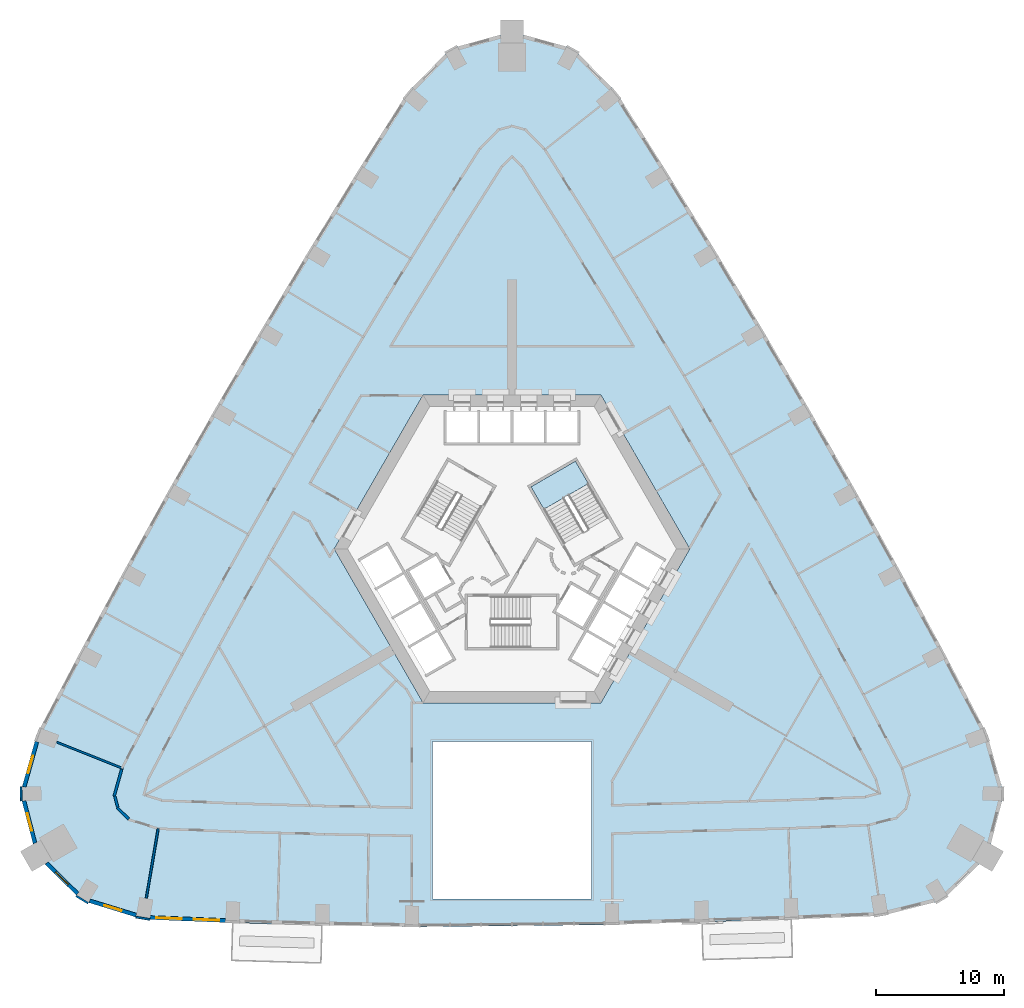
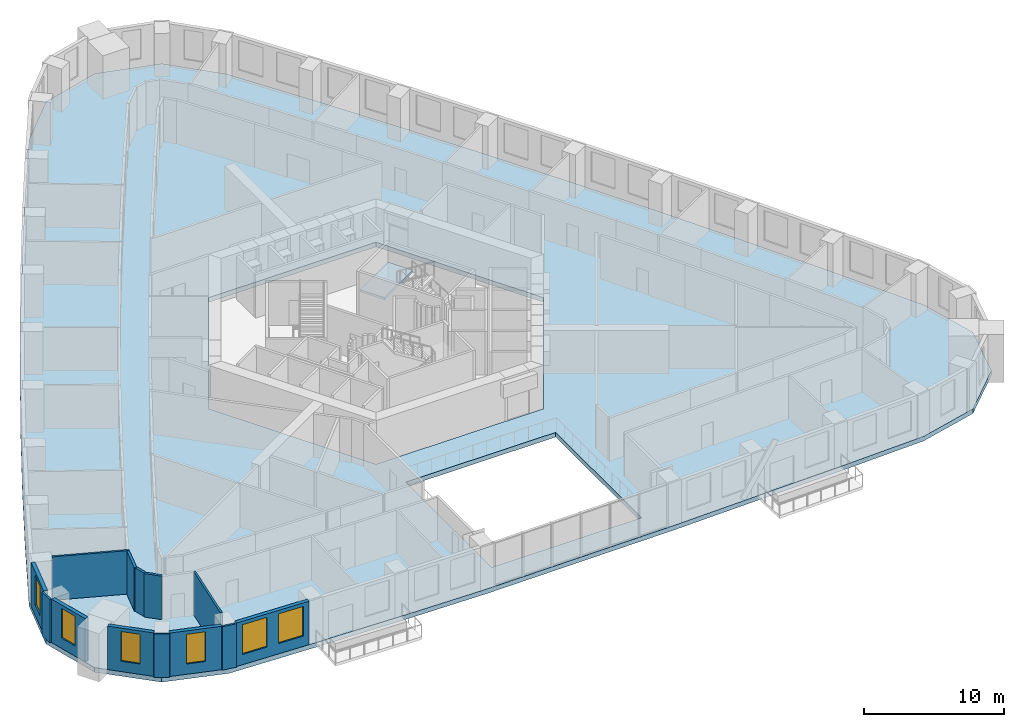
# One storey, part 3 of 14: 13 walls, 6 windows, 2 slabs, 6 openings, 1 element without a shape of its own.
"""IFC4 building model written with IfcOpenShell, lengths in metres."""

import ifcopenshell
import ifcopenshell.guid

model = None  # the IFC model being written
_history = None  # IfcOwnerHistory: only IFC2X3 demands one
_inside = {}  # id of a spatial element -> (the spatial element, [elements in it])
_under = {}  # id of a project, library or spatial element -> (it, [spatial elements below it])
_declared = {}  # id of a project -> (the project, [libraries it declares])
_typed = {}  # id of a type object -> (the type object, [elements of that type])
_made_of = {}  # id of a material, layer set ... -> (it, [elements and type objects made of it])


def new_model(schema):
    """Start an empty IFC model of exactly this schema.

    Asked for "IFC4X3", IfcOpenShell would pick the latest addendum, in which some entities
    have other attributes; the version numbers below select the first issue.
    IFC2X3 requires an IfcOwnerHistory on every rooted entity: one is made here for all.
    """
    global model, _history
    if schema == "IFC4X3":
        model = ifcopenshell.file(schema_version=(4, 3, 0, 0))
    else:
        model = ifcopenshell.file(schema=schema)
    _inside.clear()
    _under.clear()
    _declared.clear()
    _typed.clear()
    _made_of.clear()
    _history = None
    if model.schema == "IFC2X3":
        org = make("IfcOrganization", Name="unknown")
        user = make(
            "IfcPersonAndOrganization",
            ThePerson=make("IfcPerson", FamilyName="unknown"),
            TheOrganization=org,
        )
        app = make(
            "IfcApplication",
            ApplicationDeveloper=org,
            Version="unknown",
            ApplicationFullName="unknown",
            ApplicationIdentifier="unknown",
        )
        _history = make(
            "IfcOwnerHistory",
            OwningUser=user,
            OwningApplication=app,
            ChangeAction="ADDED",
            CreationDate=0,
        )
    return model


def make(cls, **values):
    """One entity of the class cls with the attributes given. An attribute that is None is left unset."""
    return model.create_entity(
        cls, **{name: value for name, value in values.items() if value is not None}
    )


def rooted(cls, **values):
    """An entity with a GlobalId (a new one), such as an element, a storey or a relation."""
    return make(cls, GlobalId=ifcopenshell.guid.new(), OwnerHistory=_history, **values)


def si_unit(unit_type, name, prefix=None):
    """IfcSIUnit, for example si_unit("LENGTHUNIT", "METRE", prefix="MILLI")."""
    return make("IfcSIUnit", UnitType=unit_type, Prefix=prefix, Name=name)


def assignment(units):
    """IfcUnitAssignment: the units of a project."""
    return None if units is None else make("IfcUnitAssignment", Units=units)


def point(xyz):
    """IfcCartesianPoint."""
    return None if xyz is None else make("IfcCartesianPoint", Coordinates=xyz)


def direction(xyz):
    """IfcDirection."""
    return None if xyz is None else make("IfcDirection", DirectionRatios=xyz)


def frame(location, z_axis=None, x_axis=None):
    """IfcAxis2Placement3D, a coordinate frame: its origin and axes. An axis left out is left unset."""
    return make(
        "IfcAxis2Placement3D",
        Location=point(location),
        Axis=direction(z_axis),
        RefDirection=direction(x_axis),
    )


def frame_2d(location, x_axis=None):
    """IfcAxis2Placement2D, a coordinate frame in the plane: its origin and x axis."""
    return make(
        "IfcAxis2Placement2D", Location=point(location), RefDirection=direction(x_axis)
    )


def origin():
    """The frame at (0, 0, 0) with its axes left unset."""
    return frame((0.0, 0.0, 0.0))


def place(relative_to, where):
    """IfcLocalPlacement: puts the frame where relative to a parent placement (None: the world)."""
    return make(
        "IfcLocalPlacement", PlacementRelTo=relative_to, RelativePlacement=where
    )


def context(
    kind, dimensions, precision=None, world=None, true_north=None, identifier=None
):
    """IfcGeometricRepresentationContext, for example the 3D "Model" context."""
    return make(
        "IfcGeometricRepresentationContext",
        ContextIdentifier=identifier,
        ContextType=kind,
        CoordinateSpaceDimension=dimensions,
        Precision=precision,
        WorldCoordinateSystem=world,
        TrueNorth=true_north,
    )


def subcontext(parent, identifier, kind, view, scale=None):
    """IfcGeometricRepresentationSubContext, for example "Body" below "Model"."""
    return make(
        "IfcGeometricRepresentationSubContext",
        ContextIdentifier=identifier,
        ContextType=kind,
        ParentContext=parent,
        TargetScale=scale,
        TargetView=view,
    )


def project(units=None, contexts=None):
    """IfcProject with its units and contexts."""
    return rooted(
        "IfcProject",
        Name="project",
        RepresentationContexts=contexts,
        UnitsInContext=assignment(units),
    )


def spatial(cls, under=None, at=None, **own):
    """A site, building, storey or space (cls), placed at a placement, below another one or the project."""
    s = rooted(cls, ObjectPlacement=at, **own)
    if under is not None:
        _under.setdefault(under.id(), (under, []))[1].append(s)
    return s


def polyline(points):
    """IfcPolyline through the points."""
    return make("IfcPolyline", Points=[point(p) for p in points])


def profile(cls, at=None, kind="AREA", **sizes):
    """A parametric profile (cls). Its sizes go by their IFC names, for example OverallWidth=200.0."""
    return make(cls, ProfileType=kind, Position=at, **sizes)


def rectangle(**sizes):
    """IfcRectangleProfileDef."""
    return profile("IfcRectangleProfileDef", **sizes)


def outline(outer, holes=None, kind="AREA"):
    """IfcArbitraryClosedProfileDef: a profile drawn as a closed curve; with holes, ...WithVoids."""
    if holes is None:
        return make("IfcArbitraryClosedProfileDef", ProfileType=kind, OuterCurve=outer)
    return make(
        "IfcArbitraryProfileDefWithVoids",
        ProfileType=kind,
        OuterCurve=outer,
        InnerCurves=holes,
    )


def extrude(swept, where, along, depth):
    """IfcExtrudedAreaSolid: the profile swept, set in the frame where, extruded along a direction by depth."""
    return make(
        "IfcExtrudedAreaSolid",
        SweptArea=swept,
        Position=where,
        ExtrudedDirection=direction(along),
        Depth=depth,
    )


def shape(context_of_items, identifier, shape_type, items):
    """IfcShapeRepresentation: the items that make up one representation, for example the "Body"."""
    return make(
        "IfcShapeRepresentation",
        ContextOfItems=context_of_items,
        RepresentationIdentifier=identifier,
        RepresentationType=shape_type,
        Items=items,
    )


def material(Name=None, Category=None):
    """IfcMaterial."""
    return make("IfcMaterial", Name=Name, Category=Category)


def layer(
    of_material, thickness, ventilated=None, Name=None, Category=None, Priority=None
):
    """IfcMaterialLayer: one layer of a wall or slab, of a material (None: an air gap)."""
    return make(
        "IfcMaterialLayer",
        Material=of_material,
        LayerThickness=thickness,
        IsVentilated=ventilated,
        Name=Name,
        Category=Category,
        Priority=Priority,
    )


def layer_set(layers, Name=None):
    """IfcMaterialLayerSet."""
    return make("IfcMaterialLayerSet", MaterialLayers=layers, LayerSetName=Name)


def made_of(thing, what):
    """Note that an element or type object is made of a material, layer set ...; save() writes the relation."""
    if what is not None:
        _made_of.setdefault(what.id(), (what, []))[1].append(thing)
    return thing


def type_object(cls, material=None, **own):
    """A type object (cls), such as IfcWallType, which elements share."""
    return made_of(rooted(cls, **own), material)


def element(
    cls,
    number,
    at=None,
    inside=None,
    cuts=None,
    type_object=None,
    material=None,
    context=None,
    identifier="Body",
    shape_type=None,
    held_by="IfcProductDefinitionShape",
    body=None,
    shapes=None,
    **own,
):
    """One element of the class cls, such as IfcWall. Its Tag is "e" and its number.

    at: its placement. inside: the storey or other place that contains it. cuts: it is an
    opening in that element (IfcRelVoidsElement). A single representation is given by context,
    identifier, shape_type and body (its items); several are given by shapes. held_by: the class
    of the entity that holds the representations. save() writes the other relations.
    """
    e = rooted(cls, Tag="e%d" % number, ObjectPlacement=at, **own)
    if body is not None:
        shapes = [shape(context, identifier, shape_type, body)]
    if shapes is not None:
        e.Representation = make(held_by, Representations=shapes)
    if inside is not None:
        _inside.setdefault(inside.id(), (inside, []))[1].append(e)
    if cuts is not None:
        rooted(
            "IfcRelVoidsElement", RelatingBuildingElement=cuts, RelatedOpeningElement=e
        )
    if type_object is not None:
        _typed.setdefault(type_object.id(), (type_object, []))[1].append(e)
    return made_of(e, material)


def fill(opening, filler):
    """IfcRelFillsElement: the door or window that sits in an opening."""
    return rooted(
        "IfcRelFillsElement",
        RelatingOpeningElement=opening,
        RelatedBuildingElement=filler,
    )


def aggregate(whole, parts):
    """IfcRelAggregates: a whole, such as a stair, and the parts it consists of."""
    return rooted("IfcRelAggregates", RelatingObject=whole, RelatedObjects=parts)


def save(model, path):
    """Write the relations noted so far, then the file.

    IfcRelAggregates (storeys below a building ...), IfcRelContainedInSpatialStructure (elements
    in a storey), IfcRelDefinesByType, IfcRelAssociatesMaterial and IfcRelDeclares: one each for
    every whole, place, type object, material and project.
    """
    for whole, parts in _under.values():
        aggregate(whole, parts)
    for where, things in _inside.values():
        rooted(
            "IfcRelContainedInSpatialStructure",
            RelatedElements=things,
            RelatingStructure=where,
        )
    for kind, things in _typed.values():
        rooted("IfcRelDefinesByType", RelatedObjects=things, RelatingType=kind)
    for what, things in _made_of.values():
        rooted("IfcRelAssociatesMaterial", RelatedObjects=things, RelatingMaterial=what)
    for by, libraries in _declared.values():
        rooted("IfcRelDeclares", RelatingContext=by, RelatedDefinitions=libraries)
    model.write(path)


model = new_model("IFC4")

# Units and contexts
model_context = context("Model", 3, precision=1e-05, world=origin(), true_north=direction((0.0, 1.0)))
body_context = subcontext(model_context, "Body", "Model", "MODEL_VIEW")
ifc_project = project(units=[si_unit("LENGTHUNIT", "METRE"), si_unit("AREAUNIT", "SQUARE_METRE"), si_unit("VOLUMEUNIT", "CUBIC_METRE"), si_unit("PLANEANGLEUNIT", "RADIAN"), si_unit("MASSUNIT", "GRAM", prefix="KILO")], contexts=[model_context])

# Site, building, storey
site_placement = place(None, origin())
site = spatial("IfcSite", under=ifc_project, at=site_placement, CompositionType="ELEMENT")
building_placement = place(site_placement, origin())
building = spatial("IfcBuilding", under=site, at=building_placement, Name="Entoto Arch Interchange Tower", CompositionType="ELEMENT")
storey_placement = place(building_placement, frame((0.0, 0.0, 103.39990234375)))
storey = spatial("IfcBuildingStorey", under=building, at=storey_placement, Name="L22", CompositionType="ELEMENT", Elevation=103.39990234375)

# Stair, slab
ifc_material_1 = material(Name="Concrete C40/50", Category="concrete")
stair_type = type_object("IfcStairType", Name="EXIT STAIR RC 1800", PredefinedType="HALF_TURN_STAIR", material=ifc_material_1)
stair_placement = place(storey_placement, origin())
stair = element("IfcStair", 1, at=stair_placement, inside=storey, type_object=stair_type, Name="L22 Exit stair NE", PredefinedType="HALF_TURN_STAIR")
ifc_layer_1 = layer(ifc_material_1, 0.199951171875)
ifc_layer_set_1 = layer_set([ifc_layer_1], Name="Concrete C40/50")
slab_type_1 = type_object("IfcSlabType", Name="EXIT STAIR LANDING RC 200", PredefinedType="LANDING", material=ifc_layer_set_1)
slab_1_placement = place(storey_placement, frame((0.0, 0.0, 1.900146484375)))
slab_1 = element("IfcSlab", 2, at=slab_1_placement, type_object=slab_type_1, Name="ST-NE landing 1", PredefinedType="LANDING", context=body_context, shape_type="SweptSolid", body=[
    extrude(outline(polyline([(5.953369140625, 7.58837890625), (4.943359375, 9.337890625), (1.479248046875, 7.337890625), (2.4892578125, 5.58837890625), (5.953369140625, 7.58837890625)])), origin(), (0.0, 0.0, 1.0), 0.199951171875),
])
aggregate(stair, [slab_1])

# Slab
ifc_layer_2 = layer(ifc_material_1, 0.39990234375)
ifc_layer_set_2 = layer_set([ifc_layer_2], Name="Concrete C40/50")
slab_type_2 = type_object("IfcSlabType", Name="Post-tensioned flat plate 400 C40/50", PredefinedType="FLOOR", material=ifc_layer_set_2)
slab_2_placement = place(storey_placement, frame((0.0, 0.0, -0.39990234375)))
element("IfcSlab", 3, at=slab_2_placement, inside=storey, type_object=slab_type_2, Name="Floor slab L22", PredefinedType="FLOOR", context=body_context, shape_type="SweptSolid", body=[
    extrude(outline(polyline([(-28.783935546875, -26.364990234375), (-21.7890625, -26.64208984375), (-14.794921875, -26.843017578125), (-7.800048828125, -26.966064453125), (7.800048828125, -26.7939453125), (14.794921875, -26.5791015625), (21.7890625, -26.3779296875), (28.783935546875, -26.10107421875), (33.5458984375, -24.90087890625), (37.089111328125, -21.4140625), (38.337890625, -16.60205078125), (37.031982421875, -11.947998046875), (33.653076171875, -5.52099609375), (30.22802734375, 0.81689453125), (26.73291015625, 7.115966796875), (23.166015625, 13.375), (19.529052734375, 19.593017578125), (15.822021484375, 25.77001953125), (12.0458984375, 31.905029296875), (8.1689453125, 38.044921875), (4.7919921875, 41.501953125), (0.0, 42.826904296875), (-4.7919921875, 41.501953125), (-8.1689453125, 38.044921875), (-12.0458984375, 31.905029296875), (-15.822021484375, 25.77001953125), (-19.529052734375, 19.593017578125), (-23.166015625, 13.375), (-26.73291015625, 7.115966796875), (-30.22802734375, 0.81689453125), (-33.653076171875, -5.52099609375), (-37.031982421875, -11.947998046875), (-38.337890625, -16.60205078125), (-37.089111328125, -21.4140625), (-33.5458984375, -24.90087890625), (-28.783935546875, -26.364990234375)]), holes=[polyline([(6.199951171875, -24.7939453125), (6.199951171875, -12.5), (-6.199951171875, -12.5), (-6.199951171875, -24.7939453125), (6.199951171875, -24.7939453125)]), polyline([(13.85595703125, 2.5), (6.927978515625, 14.5), (-6.927978515625, 14.5), (-13.85595703125, 2.5), (-6.927978515625, -9.5), (6.927978515625, -9.5), (13.85595703125, 2.5)])]), origin(), (0.0, 0.0, 1.0), 0.39990234375),
])

# Walls
ifc_material_2 = material(Name="Gypsum board partition on steel studs", Category="steel")
ifc_layer_3 = layer(ifc_material_2, 0.14990234375)
ifc_layer_set_3 = layer_set([ifc_layer_3], Name="Gypsum board partition on steel studs")
wall_type_1 = type_object("IfcWallType", Name="PARTITION 150", PredefinedType="PARTITIONING", material=ifc_layer_set_3)
wall_1_placement = place(storey_placement, frame((-30.305908203125, -14.625, 0.0), z_axis=(0.0, 0.0, 1.0), x_axis=(-0.929128339298, 0.369757392235, 0.0)))
element("IfcWall", 4, at=wall_1_placement, inside=storey, type_object=wall_type_1, Name="wall:L22:p152", PredefinedType="PARTITIONING", context=body_context, shape_type="SweptSolid", body=[
    extrude(rectangle(XDim=5.56884765625, YDim=0.14990234375, at=frame_2d((2.784423828125, 0.0))), origin(), (0.0, 0.0, 1.0), 3.800048828125),
])
wall_2_placement = place(storey_placement, frame((-27.580078125, -19.306884765625, 0.0), z_axis=(0.0, 0.0, 1.0), x_axis=(-0.168089900424, -0.98577167, 0.0)))
element("IfcWall", 5, at=wall_2_placement, inside=storey, type_object=wall_type_1, Name="wall:L22:p153", PredefinedType="PARTITIONING", context=body_context, shape_type="SweptSolid", body=[
    extrude(rectangle(XDim=5.490234375, YDim=0.14990234375, at=frame_2d((2.7451171875, 0.0))), origin(), (0.0, 0.0, 1.0), 3.800048828125),
])
ifc_layer_4 = layer(ifc_material_2, 0.199951171875)
ifc_layer_set_4 = layer_set([ifc_layer_4], Name="Gypsum board partition on steel studs")
wall_type_2 = type_object("IfcWallType", Name="PARTITION 200", PredefinedType="PARTITIONING", material=ifc_layer_set_4)
wall_3_placement = place(storey_placement, frame((-29.873046875, -18.553955078125, 0.0), z_axis=(0.0, 0.0, 1.0), x_axis=(-0.712546188185, 0.701625206006, 0.0)))
element("IfcWall", 6, at=wall_3_placement, inside=storey, type_object=wall_type_2, Name="wall:L22:p076", PredefinedType="PARTITIONING", context=body_context, shape_type="SweptSolid", body=[
    extrude(rectangle(XDim=1.274169921875, YDim=0.199951171875, at=frame_2d((0.63720703125, 0.0))), origin(), (0.0, 0.0, 1.0), 3.800048828125),
])
wall_4_placement = place(storey_placement, frame((-30.735107421875, -17.634033203125, 0.0), z_axis=(0.0, 0.0, 1.0), x_axis=(-0.251095196118, 0.967962397248, 0.0)))
element("IfcWall", 7, at=wall_4_placement, inside=storey, type_object=wall_type_2, Name="wall:L22:p077", PredefinedType="PARTITIONING", context=body_context, shape_type="SweptSolid", body=[
    extrude(rectangle(XDim=0.8916015625, YDim=0.199951171875, at=frame_2d((0.44580078125, 0.0))), origin(), (0.0, 0.0, 1.0), 3.800048828125),
])
wall_5_placement = place(storey_placement, frame((-31.010986328125, -16.77001953125, 0.0), z_axis=(0.0, 0.0, 1.0), x_axis=(0.270131711391, 0.962823378664, 0.0)))
element("IfcWall", 8, at=wall_5_placement, inside=storey, type_object=wall_type_2, Name="wall:L22:p078", PredefinedType="PARTITIONING", context=body_context, shape_type="SweptSolid", body=[
    extrude(rectangle(XDim=2.16552734375, YDim=0.199951171875, at=frame_2d((1.082763671875, 0.0))), origin(), (0.0, 0.0, 1.0), 3.800048828125),
])

# Wall, openings, windows
ifc_material_3 = material(Name="Welded tuff (ignimbrite) cladding, warm buff", Category="masonry")
ifc_layer_5 = layer(ifc_material_3, 0.300048828125)
ifc_layer_set_5 = layer_set([ifc_layer_5], Name="Welded tuff (ignimbrite) cladding, warm buff")
wall_type_3 = type_object("IfcWallType", Name="STONE INFILL WALL 300", PredefinedType="STANDARD", material=ifc_layer_set_5)
wall_6_placement = place(storey_placement, frame((-28.205078125, -26.238037109375, 0.0), z_axis=(0.0, 0.0, 1.0), x_axis=(0.99922113396, -0.039460428885, 0.0)))
wall_6 = element("IfcWall", 9, at=wall_6_placement, inside=storey, type_object=wall_type_3, Name="Facade wall S-01 L22", PredefinedType="STANDARD", context=body_context, shape_type="SweptSolid", body=[
    extrude(rectangle(XDim=5.877685546875, YDim=0.300048828125, at=frame_2d((2.93896484375, 0.0))), origin(), (0.0, 0.0, 1.0), 3.800048828125),
])
opening_1_placement = place(wall_6_placement, frame((0.468994140625, 0.0, 0.89990234375)))
opening_1 = element("IfcOpeningElement", 10, at=opening_1_placement, cuts=wall_6, Name="Opening WO-C", PredefinedType="OPENING", context=body_context, shape_type="SweptSolid", body=[
    extrude(rectangle(XDim=2.0, YDim=2.60009765625, at=frame_2d((1.0, 1.300048828125))), frame((0.0, 0.16015625, 0.0), z_axis=(0.0, -1.0, 0.0), x_axis=(1.0, 0.0, 0.0)), (0.0, 0.0, 1.0), 0.320068359375),
])
opening_2_placement = place(wall_6_placement, frame((3.407958984375, 0.0, 0.89990234375)))
opening_2 = element("IfcOpeningElement", 11, at=opening_2_placement, cuts=wall_6, Name="Opening WO-C", PredefinedType="OPENING", context=body_context, shape_type="SweptSolid", body=[
    extrude(rectangle(XDim=2.0, YDim=2.60009765625, at=frame_2d((1.0, 1.300048828125))), frame((0.0, 0.16015625, 0.0), z_axis=(0.0, -1.0, 0.0), x_axis=(1.0, 0.0, 0.0)), (0.0, 0.0, 1.0), 0.320068359375),
])
ifc_material_4 = material(Name="Clear glass, low-e double glazed", Category="glass")
window_type_1 = type_object("IfcWindowType", Name="WINDOW WO-C 2000x2600", PartitioningType="DOUBLE_PANEL_VERTICAL", PredefinedType="WINDOW", material=ifc_material_4)
window_1_placement = place(opening_1_placement, origin())
window_1 = element("IfcWindow", 12, at=window_1_placement, inside=storey, type_object=window_type_1, Name="Window WO-C S-01 L22", OverallHeight=2.60009765625, OverallWidth=2.0, PartitioningType="SINGLE_PANEL", PredefinedType="WINDOW", context=body_context, shape_type="SweptSolid", body=[
    extrude(rectangle(XDim=2.0, YDim=2.60009765625, at=frame_2d((1.0, 1.300048828125))), frame((0.0, 0.030029296875, 0.0), z_axis=(0.0, -1.0, 0.0), x_axis=(1.0, 0.0, 0.0)), (0.0, 0.0, 1.0), 0.06005859375),
])
fill(opening_1, window_1)
window_2_placement = place(opening_2_placement, origin())
window_2 = element("IfcWindow", 13, at=window_2_placement, inside=storey, type_object=window_type_1, Name="Window WO-C S-01 L22", OverallHeight=2.60009765625, OverallWidth=2.0, PartitioningType="SINGLE_PANEL", PredefinedType="WINDOW", context=body_context, shape_type="SweptSolid", body=[
    extrude(rectangle(XDim=2.0, YDim=2.60009765625, at=frame_2d((1.0, 1.300048828125))), frame((0.0, 0.030029296875, 0.0), z_axis=(0.0, -1.0, 0.0), x_axis=(1.0, 0.0, 0.0)), (0.0, 0.0, 1.0), 0.06005859375),
])
fill(opening_2, window_2)

# Wall, opening, window
wall_7_placement = place(storey_placement, frame((-37.0400390625, -12.531005859375, 0.0), z_axis=(0.0, 0.0, 1.0), x_axis=(-0.270054089595, -0.96284515302, 0.0)))
wall_7 = element("IfcWall", 14, at=wall_7_placement, inside=storey, type_object=wall_type_3, Name="Facade wall SW-01 L22", PredefinedType="STANDARD", context=body_context, shape_type="SweptSolid", body=[
    extrude(rectangle(XDim=3.650634765625, YDim=0.300048828125, at=frame_2d((1.8251953125, 0.0))), origin(), (0.0, 0.0, 1.0), 3.800048828125),
])
opening_3_placement = place(wall_7_placement, frame((1.125, 0.0, 0.89990234375)))
opening_3 = element("IfcOpeningElement", 15, at=opening_3_placement, cuts=wall_7, Name="Opening WO-B", PredefinedType="OPENING", context=body_context, shape_type="SweptSolid", body=[
    extrude(rectangle(XDim=1.39990234375, YDim=2.60009765625, at=frame_2d((0.699951171875, 1.300048828125))), frame((0.0, 0.16015625, 0.0), z_axis=(0.0, -1.0, 0.0), x_axis=(1.0, 0.0, 0.0)), (0.0, 0.0, 1.0), 0.320068359375),
])
window_type_2 = type_object("IfcWindowType", Name="WINDOW WO-B 1400x2600", PartitioningType="DOUBLE_PANEL_VERTICAL", PredefinedType="WINDOW", material=ifc_material_4)
window_3_placement = place(opening_3_placement, origin())
window_3 = element("IfcWindow", 16, at=window_3_placement, inside=storey, type_object=window_type_2, Name="Window WO-B SW-01 L22", OverallHeight=2.60009765625, OverallWidth=1.39990234375, PartitioningType="SINGLE_PANEL", PredefinedType="WINDOW", context=body_context, shape_type="SweptSolid", body=[
    extrude(rectangle(XDim=1.39990234375, YDim=2.60009765625, at=frame_2d((0.699951171875, 1.300048828125))), frame((0.0, 0.030029296875, 0.0), z_axis=(0.0, -1.0, 0.0), x_axis=(1.0, 0.0, 0.0)), (0.0, 0.0, 1.0), 0.06005859375),
])
fill(opening_3, window_3)

wall_8_placement = place(storey_placement, frame((-38.0419921875, -17.14404296875, 0.0), z_axis=(0.0, 0.0, 1.0), x_axis=(0.251046938153, -0.967974914367, 0.0)))
wall_8 = element("IfcWall", 17, at=wall_8_placement, inside=storey, type_object=wall_type_3, Name="Facade wall SW-02 L22", PredefinedType="STANDARD", context=body_context, shape_type="SweptSolid", body=[
    extrude(rectangle(XDim=3.39794921875, YDim=0.300048828125, at=frame_2d((1.698974609375, 0.0))), origin(), (0.0, 0.0, 1.0), 3.800048828125),
])
opening_4_placement = place(wall_8_placement, frame((0.9990234375, 0.0, 0.89990234375)))
opening_4 = element("IfcOpeningElement", 18, at=opening_4_placement, cuts=wall_8, Name="Opening WO-B", PredefinedType="OPENING", context=body_context, shape_type="SweptSolid", body=[
    extrude(rectangle(XDim=1.39990234375, YDim=2.60009765625, at=frame_2d((0.699951171875, 1.300048828125))), frame((0.0, 0.16015625, 0.0), z_axis=(0.0, -1.0, 0.0), x_axis=(1.0, 0.0, 0.0)), (0.0, 0.0, 1.0), 0.320068359375),
])
window_4_placement = place(opening_4_placement, origin())
window_4 = element("IfcWindow", 19, at=window_4_placement, inside=storey, type_object=window_type_2, Name="Window WO-B SW-02 L22", OverallHeight=2.60009765625, OverallWidth=1.39990234375, PartitioningType="SINGLE_PANEL", PredefinedType="WINDOW", context=body_context, shape_type="SweptSolid", body=[
    extrude(rectangle(XDim=1.39990234375, YDim=2.60009765625, at=frame_2d((0.699951171875, 1.300048828125))), frame((0.0, 0.030029296875, 0.0), z_axis=(0.0, -1.0, 0.0), x_axis=(1.0, 0.0, 0.0)), (0.0, 0.0, 1.0), 0.06005859375),
])
fill(opening_4, window_4)

wall_9_placement = place(storey_placement, frame((-36.2890625, -21.989990234375, 0.0), z_axis=(0.0, 0.0, 1.0), x_axis=(0.712546371703, -0.701625019631, 0.0)))
wall_9 = element("IfcWall", 20, at=wall_9_placement, inside=storey, type_object=wall_type_3, Name="Facade wall SW-03 L22", PredefinedType="STANDARD", context=body_context, shape_type="SweptSolid", body=[
    extrude(rectangle(XDim=3.39794921875, YDim=0.300048828125, at=frame_2d((1.698974609375, 0.0))), origin(), (0.0, 0.0, 1.0), 3.800048828125),
])
opening_5_placement = place(wall_9_placement, frame((0.9990234375, 0.0, 0.89990234375)))
opening_5 = element("IfcOpeningElement", 21, at=opening_5_placement, cuts=wall_9, Name="Opening WO-B", PredefinedType="OPENING", context=body_context, shape_type="SweptSolid", body=[
    extrude(rectangle(XDim=1.39990234375, YDim=2.60009765625, at=frame_2d((0.699951171875, 1.300048828125))), frame((0.0, 0.16015625, 0.0), z_axis=(0.0, -1.0, 0.0), x_axis=(1.0, 0.0, 0.0)), (0.0, 0.0, 1.0), 0.320068359375),
])
window_5_placement = place(opening_5_placement, origin())
window_5 = element("IfcWindow", 22, at=window_5_placement, inside=storey, type_object=window_type_2, Name="Window WO-B SW-03 L22", OverallHeight=2.60009765625, OverallWidth=1.39990234375, PartitioningType="SINGLE_PANEL", PredefinedType="WINDOW", context=body_context, shape_type="SweptSolid", body=[
    extrude(rectangle(XDim=1.39990234375, YDim=2.60009765625, at=frame_2d((0.699951171875, 1.300048828125))), frame((0.0, 0.030029296875, 0.0), z_axis=(0.0, -1.0, 0.0), x_axis=(1.0, 0.0, 0.0)), (0.0, 0.0, 1.0), 0.06005859375),
])
fill(opening_5, window_5)

wall_10_placement = place(storey_placement, frame((-32.924072265625, -24.93505859375, 0.0), z_axis=(0.0, 0.0, 1.0), x_axis=(0.955841433148, -0.293882892794, 0.0)))
wall_10 = element("IfcWall", 23, at=wall_10_placement, inside=storey, type_object=wall_type_3, Name="Facade wall SW-04 L22", PredefinedType="STANDARD", context=body_context, shape_type="SweptSolid", body=[
    extrude(rectangle(XDim=3.803955078125, YDim=0.300048828125, at=frame_2d((1.90185546875, 0.0))), origin(), (0.0, 0.0, 1.0), 3.800048828125),
])
opening_6_placement = place(wall_10_placement, frame((1.201904296875, 0.0, 0.89990234375)))
opening_6 = element("IfcOpeningElement", 24, at=opening_6_placement, cuts=wall_10, Name="Opening WO-B", PredefinedType="OPENING", context=body_context, shape_type="SweptSolid", body=[
    extrude(rectangle(XDim=1.39990234375, YDim=2.60009765625, at=frame_2d((0.699951171875, 1.300048828125))), frame((0.0, 0.16015625, 0.0), z_axis=(0.0, -1.0, 0.0), x_axis=(1.0, 0.0, 0.0)), (0.0, 0.0, 1.0), 0.320068359375),
])
window_6_placement = place(opening_6_placement, origin())
window_6 = element("IfcWindow", 25, at=window_6_placement, inside=storey, type_object=window_type_2, Name="Window WO-B SW-04 L22", OverallHeight=2.60009765625, OverallWidth=1.39990234375, PartitioningType="SINGLE_PANEL", PredefinedType="WINDOW", context=body_context, shape_type="SweptSolid", body=[
    extrude(rectangle(XDim=1.39990234375, YDim=2.60009765625, at=frame_2d((0.699951171875, 1.300048828125))), frame((0.0, 0.030029296875, 0.0), z_axis=(0.0, -1.0, 0.0), x_axis=(1.0, 0.0, 0.0)), (0.0, 0.0, 1.0), 0.06005859375),
])
fill(opening_6, window_6)

# Walls
ifc_layer_6 = layer(ifc_material_3, 0.14990234375)
ifc_layer_set_6 = layer_set([ifc_layer_6], Name="Welded tuff (ignimbrite) cladding, warm buff")
wall_type_4 = type_object("IfcWallType", Name="STONE PIER CLADDING 150", PredefinedType="STANDARD", material=ifc_layer_set_6)
wall_11_placement = place(storey_placement, frame((-29.31396484375, -26.198974609375, 0.0), z_axis=(0.0, 0.0, 1.0), x_axis=(0.985763338892, -0.168138751323, 0.0)))
element("IfcWall", 26, at=wall_11_placement, inside=storey, type_object=wall_type_4, Name="Stone pier S01 L22", PredefinedType="STANDARD", context=body_context, shape_type="SweptSolid", body=[
    extrude(rectangle(XDim=1.1005859375, YDim=0.14990234375, at=frame_2d((0.55029296875, 0.0))), origin(), (0.0, 0.0, 1.0), 3.800048828125),
])
wall_12_placement = place(storey_placement, frame((-38.27587890625, -16.050048828125, 0.0), z_axis=(0.0, 0.0, 1.0), x_axis=(0.023522901136, -0.999723298279, 0.0)))
element("IfcWall", 27, at=wall_12_placement, inside=storey, type_object=wall_type_4, Name="Stone pier SW1 L22", PredefinedType="STANDARD", context=body_context, shape_type="SweptSolid", body=[
    extrude(rectangle(XDim=1.10009765625, YDim=0.14990234375, at=frame_2d((0.550048828125, 0.0))), origin(), (0.0, 0.0, 1.0), 3.800048828125),
])
wall_13_placement = place(storey_placement, frame((-33.97705078125, -24.551025390625, 0.0), z_axis=(0.0, 0.0, 1.0), x_axis=(0.854245682901, -0.519869515594, 0.0)))
element("IfcWall", 28, at=wall_13_placement, inside=storey, type_object=wall_type_4, Name="Stone pier SW3 L22", PredefinedType="STANDARD", context=body_context, shape_type="SweptSolid", body=[
    extrude(rectangle(XDim=1.100341796875, YDim=0.14990234375, at=frame_2d((0.55029296875, 0.0))), origin(), (0.0, 0.0, 1.0), 3.800048828125),
])

save(model, "model.ifc")
